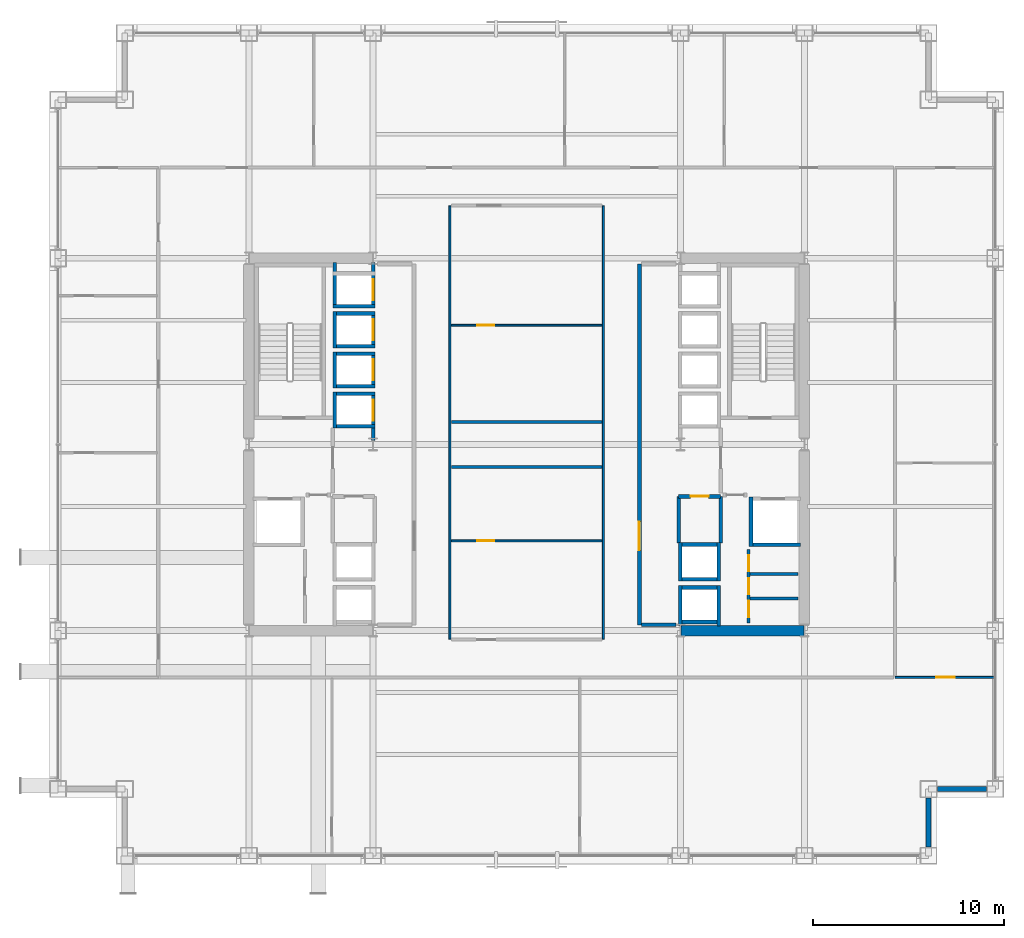
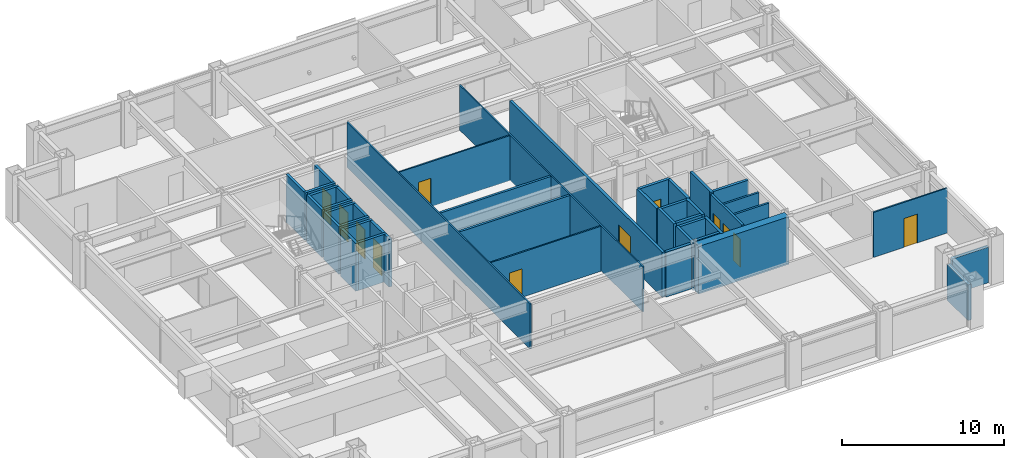
# One storey, part 26 of 29: 43 walls, 12 doors, 12 openings.
"""IFC4 building model written with IfcOpenShell, lengths in metres."""

from ifc_helpers import new_model, si_unit, direction, frame, frame_2d, origin, place, context, subcontext, project, spatial, rectangle, extrude, material, layer, layer_set, type_object, element, fill, save


model = new_model("IFC4")

# Units and contexts
model_context = context("Model", 3, precision=1e-05, world=origin(), true_north=direction((0.0, 1.0)))
body_context = subcontext(model_context, "Body", "Model", "MODEL_VIEW")
ifc_project = project(units=[si_unit("LENGTHUNIT", "METRE"), si_unit("AREAUNIT", "SQUARE_METRE"), si_unit("VOLUMEUNIT", "CUBIC_METRE"), si_unit("PLANEANGLEUNIT", "RADIAN"), si_unit("MASSUNIT", "GRAM", prefix="KILO")], contexts=[model_context])

# Site, building, storey
site_placement = place(None, origin())
site = spatial("IfcSite", under=ifc_project, at=site_placement, CompositionType="ELEMENT")
building_placement = place(site_placement, origin())
building = spatial("IfcBuilding", under=site, at=building_placement, Name="Brelmoor Portico Tower", CompositionType="ELEMENT")
storey_placement = place(building_placement, frame((0.0, 0.0, 52.800048828125)))
storey = spatial("IfcBuildingStorey", under=building, at=storey_placement, Name="L13", CompositionType="ELEMENT", Elevation=52.800048828125)

# Walls
ifc_material_1 = material(Name="Concrete C60", Category="concrete")
ifc_layer_1 = layer(ifc_material_1, 0.550048828125)
ifc_layer_set_1 = layer_set([ifc_layer_1], Name="Concrete C60")
wall_type_1 = type_object("IfcWallType", Name="WL-CORE-550", PredefinedType="SHEAR", material=ifc_layer_set_1)
wall_1_placement = place(storey_placement, frame((8.070068359375, -9.75, -0.199951171875), z_axis=(0.0, 0.0, 1.0), x_axis=(1.0, 0.0, 0.0)))
element("IfcWall", 1, at=wall_1_placement, inside=storey, type_object=wall_type_1, Name="L13 EC South Shear Wall", PredefinedType="SHEAR", context=body_context, shape_type="SweptSolid", body=[
    extrude(rectangle(XDim=6.4599609375, YDim=0.550048828125, at=frame_2d((3.22998046875, 0.0))), origin(), (0.0, 0.0, 1.0), 3.599853515625),
])
ifc_material_2 = material(Name="Precast Concrete C40 Insulated Facade Wall", Category="concrete")
ifc_layer_2 = layer(ifc_material_2, 0.25)
ifc_layer_set_2 = layer_set([ifc_layer_2], Name="Precast Concrete C40 Insulated Facade Wall")
wall_type_2 = type_object("IfcWallType", Name="WL-EXT-250", PredefinedType="STANDARD", material=ifc_layer_set_2)
for number, where, z_axis, x_axis, name in (
    (2, (21.510009765625, -18.050048828125, 0.0), (0.0, 0.0, 1.0), (1.0, 0.0, 0.0), "L13 Corner Notch Facade Wall NSEH1"),
    (3, (21.050048828125, -21.090087890625, 0.0), (0.0, 0.0, 1.0), (0.0, 1.0, 0.0), "L13 Corner Notch Facade Wall NSEV1"),
):
    element("IfcWall", number, at=place(storey_placement, frame(where, z_axis=z_axis, x_axis=x_axis)), inside=storey, type_object=wall_type_2, Name=name, PredefinedType="STANDARD", context=body_context, shape_type="SweptSolid", body=[
        extrude(rectangle(XDim=2.580078125, YDim=0.25, at=frame_2d((1.2900390625, 0.0))), origin(), (0.0, 0.0, 1.0), 2.699951171875),
    ])
ifc_material_3 = material(Name="Demountable Glazed Office Partition", Category="aluminium")
ifc_layer_3 = layer(ifc_material_3, 0.10009765625)
ifc_layer_set_3 = layer_set([ifc_layer_3], Name="Demountable Glazed Office Partition")
wall_type_3 = type_object("IfcWallType", Name="WL-PART-100", PredefinedType="PARTITIONING", material=ifc_layer_set_3)
for number, where, z_axis, x_axis, name in (
    (4, (-4.02001953125, -10.199951171875, 0.0), (0.0, 0.0, 1.0), (0.0, 1.0, 0.0), "L13 Central Suite West Wall"),
    (5, (4.02001953125, -10.199951171875, 0.0), (0.0, 0.0, 1.0), (0.0, 1.0, 0.0), "L13 Central Suite East Wall"),
):
    element("IfcWall", number, at=place(storey_placement, frame(where, z_axis=z_axis, x_axis=x_axis)), inside=storey, type_object=wall_type_3, Name=name, PredefinedType="PARTITIONING", context=body_context, shape_type="SweptSolid", body=[
        extrude(rectangle(XDim=22.699951171875, YDim=0.10009765625, at=frame_2d((11.35009765625, 0.0))), origin(), (0.0, 0.0, 1.0), 3.39990234375),
    ])

# Wall, opening, door
wall_2_placement = place(storey_placement, frame((-3.949951171875, 6.239990234375, 0.0), z_axis=(0.0, 0.0, 1.0), x_axis=(1.0, 0.0, 0.0)))
wall_2 = element("IfcWall", 6, at=wall_2_placement, inside=storey, type_object=wall_type_3, Name="L13 Central Archive Divider", PredefinedType="PARTITIONING", context=body_context, shape_type="SweptSolid", body=[
    extrude(rectangle(XDim=7.89990234375, YDim=0.10009765625, at=frame_2d((3.949951171875, 0.0))), origin(), (0.0, 0.0, 1.0), 3.39990234375),
])
opening_1_placement = place(wall_2_placement, frame((1.35009765625, 0.0, 0.0)))
opening_1 = element("IfcOpeningElement", 7, at=opening_1_placement, cuts=wall_2, Name="Opening D-IN1", PredefinedType="OPENING", context=body_context, shape_type="SweptSolid", body=[
    extrude(rectangle(XDim=0.89990234375, YDim=2.14990234375, at=frame_2d((0.449951171875, 1.074951171875))), frame((0.0, 0.06005859375, 0.0), z_axis=(0.0, -1.0, 0.0), x_axis=(1.0, 0.0, 0.0)), (0.0, 0.0, 1.0), 0.1201171875),
])
ifc_material_4 = material(Name="Lacquered Timber Suite Door", Category="wood")
door_type_1 = type_object("IfcDoorType", Name="DR-INT-900", OperationType="NOTDEFINED", PredefinedType="DOOR", material=ifc_material_4)
door_1_placement = place(opening_1_placement, origin())
door_1 = element("IfcDoor", 8, at=door_1_placement, inside=storey, type_object=door_type_1, Name="D-0576 L13 Central File Room Door", OperationType="SINGLE_SWING_RIGHT", OverallHeight=2.14990234375, OverallWidth=0.89990234375, PredefinedType="DOOR", context=body_context, shape_type="SweptSolid", body=[
    extrude(rectangle(XDim=0.89990234375, YDim=2.14990234375, at=frame_2d((0.449951171875, 1.074951171875))), frame((0.0, 0.02490234375, 0.0), z_axis=(0.0, -1.0, 0.0), x_axis=(1.0, 0.0, 0.0)), (0.0, 0.0, 1.0), 0.050048828125),
])
fill(opening_1, door_1)

wall_3_placement = place(storey_placement, frame((-3.949951171875, -5.050048828125, 0.0), z_axis=(0.0, 0.0, 1.0), x_axis=(1.0, 0.0, 0.0)))
wall_3 = element("IfcWall", 9, at=wall_3_placement, inside=storey, type_object=wall_type_3, Name="L13 Central Print Divider", PredefinedType="PARTITIONING", context=body_context, shape_type="SweptSolid", body=[
    extrude(rectangle(XDim=7.89990234375, YDim=0.10009765625, at=frame_2d((3.949951171875, 0.0))), origin(), (0.0, 0.0, 1.0), 3.39990234375),
])
opening_2_placement = place(wall_3_placement, frame((1.35009765625, 0.0, 0.0)))
opening_2 = element("IfcOpeningElement", 10, at=opening_2_placement, cuts=wall_3, Name="Opening D-IN1", PredefinedType="OPENING", context=body_context, shape_type="SweptSolid", body=[
    extrude(rectangle(XDim=0.89990234375, YDim=2.14990234375, at=frame_2d((0.449951171875, 1.074951171875))), frame((0.0, 0.06005859375, 0.0), z_axis=(0.0, -1.0, 0.0), x_axis=(1.0, 0.0, 0.0)), (0.0, 0.0, 1.0), 0.1201171875),
])
door_2_placement = place(opening_2_placement, origin())
door_2 = element("IfcDoor", 11, at=door_2_placement, inside=storey, type_object=door_type_1, Name="D-0578 L13 Central Print Studio Door", OperationType="SINGLE_SWING_LEFT", OverallHeight=2.14990234375, OverallWidth=0.89990234375, PredefinedType="DOOR", context=body_context, shape_type="SweptSolid", body=[
    extrude(rectangle(XDim=0.89990234375, YDim=2.14990234375, at=frame_2d((0.449951171875, 1.074951171875))), frame((0.0, 0.02490234375, 0.0), z_axis=(0.0, -1.0, 0.0), x_axis=(1.0, 0.0, 0.0)), (0.0, 0.0, 1.0), 0.050048828125),
])
fill(opening_2, door_2)

wall_4_placement = place(storey_placement, frame((19.300048828125, -12.199951171875, 0.0), z_axis=(0.0, 0.0, 1.0), x_axis=(1.0, 0.0, 0.0)))
wall_4 = element("IfcWall", 12, at=wall_4_placement, inside=storey, type_object=wall_type_3, Name="L13 South Outer Closure ER", PredefinedType="PARTITIONING", context=body_context, shape_type="SweptSolid", body=[
    extrude(rectangle(XDim=5.260009765625, YDim=0.10009765625, at=frame_2d((2.6298828125, 0.0))), origin(), (0.0, 0.0, 1.0), 3.39990234375),
])
opening_3_placement = place(wall_4_placement, frame((2.14990234375, 0.0, 0.0)))
opening_3 = element("IfcOpeningElement", 13, at=opening_3_placement, cuts=wall_4, Name="Opening D-IN2", PredefinedType="OPENING", context=body_context, shape_type="SweptSolid", body=[
    extrude(rectangle(XDim=0.9599609375, YDim=2.179931640625, at=frame_2d((0.47998046875, 1.08984375))), frame((0.0, 0.06005859375, 0.0), z_axis=(0.0, -1.0, 0.0), x_axis=(1.0, 0.0, 0.0)), (0.0, 0.0, 1.0), 0.1201171875),
])
door_type_2 = type_object("IfcDoorType", Name="DR-INT-950", OperationType="NOTDEFINED", PredefinedType="DOOR", material=ifc_material_4)
door_3_placement = place(opening_3_placement, origin())
door_3 = element("IfcDoor", 14, at=door_3_placement, inside=storey, type_object=door_type_2, Name="D-0604 L13 ER South Corner Suite Door", OperationType="SINGLE_SWING_RIGHT", OverallHeight=2.179931640625, OverallWidth=0.9599609375, PredefinedType="DOOR", context=body_context, shape_type="SweptSolid", body=[
    extrude(rectangle(XDim=0.9599609375, YDim=2.179931640625, at=frame_2d((0.47998046875, 1.08984375))), frame((0.0, 0.02490234375, 0.0), z_axis=(0.0, -1.0, 0.0), x_axis=(1.0, 0.0, 0.0)), (0.0, 0.0, 1.0), 0.050048828125),
])
fill(opening_3, door_3)

# Walls
ifc_material_5 = material(Name="Insulated Stud Suite Partition", Category="gypsum")
ifc_layer_4 = layer(ifc_material_5, 0.139892578125)
ifc_layer_set_4 = layer_set([ifc_layer_4], Name="Insulated Stud Suite Partition")
wall_type_4 = type_object("IfcWallType", Name="WL-PART-140", PredefinedType="PARTITIONING", material=ifc_layer_set_4)
for number, where, z_axis, x_axis, name in (
    (15, (11.699951171875, -8.066650390625, 0.0), (0.0, 0.0, 1.0), (1.0, 0.0, 0.0), "L13 E Core WC Divider 1"),
    (16, (11.699951171875, -6.783203125, 0.0), (0.0, 0.0, 1.0), (1.0, 0.0, 0.0), "L13 E Core WC Divider 2"),
):
    element("IfcWall", number, at=place(storey_placement, frame(where, z_axis=z_axis, x_axis=x_axis)), inside=storey, type_object=wall_type_4, Name=name, PredefinedType="PARTITIONING", context=body_context, shape_type="SweptSolid", body=[
        extrude(rectangle(XDim=2.5, YDim=0.139892578125, at=frame_2d((1.25, 0.0))), origin(), (0.0, 0.0, 1.0), 3.39990234375),
    ])

# Wall, openings, doors
ifc_material_6 = material(Name="Twin-Frame Acoustic Partition", Category="gypsum")
ifc_layer_5 = layer(ifc_material_6, 0.159912109375)
ifc_layer_set_5 = layer_set([ifc_layer_5], Name="Twin-Frame Acoustic Partition")
wall_type_5 = type_object("IfcWallType", Name="WL-PART-160", PredefinedType="PARTITIONING", material=ifc_layer_set_5)
wall_5_placement = place(storey_placement, frame((11.6201171875, -9.35009765625, 0.0), z_axis=(0.0, 0.0, 1.0), x_axis=(0.0, 1.0, 0.0)))
wall_5 = element("IfcWall", 17, at=wall_5_placement, inside=storey, type_object=wall_type_5, Name="L13 E Core Service Front Wall", PredefinedType="PARTITIONING", context=body_context, shape_type="SweptSolid", body=[
    extrude(rectangle(XDim=3.85009765625, YDim=0.159912109375, at=frame_2d((1.925048828125, 0.0))), origin(), (0.0, 0.0, 1.0), 3.39990234375),
])
opening_4_placement = place(wall_5_placement, frame((0.300048828125, 0.0, 0.0)))
opening_4 = element("IfcOpeningElement", 18, at=opening_4_placement, cuts=wall_5, Name="Opening D-WC1", PredefinedType="OPENING", context=body_context, shape_type="SweptSolid", body=[
    extrude(rectangle(XDim=0.85009765625, YDim=2.1201171875, at=frame_2d((0.425048828125, 1.06005859375))), frame((0.0, 0.08984375, 0.0), z_axis=(0.0, -1.0, 0.0), x_axis=(1.0, 0.0, 0.0)), (0.0, 0.0, 1.0), 0.179931640625),
])
opening_5_placement = place(wall_5_placement, frame((1.5, 0.0, 0.0)))
opening_5 = element("IfcOpeningElement", 19, at=opening_5_placement, cuts=wall_5, Name="Opening D-WC1", PredefinedType="OPENING", context=body_context, shape_type="SweptSolid", body=[
    extrude(rectangle(XDim=0.85009765625, YDim=2.1201171875, at=frame_2d((0.425048828125, 1.06005859375))), frame((0.0, 0.08984375, 0.0), z_axis=(0.0, -1.0, 0.0), x_axis=(1.0, 0.0, 0.0)), (0.0, 0.0, 1.0), 0.179931640625),
])
opening_6_placement = place(wall_5_placement, frame((2.699951171875, 0.0, 0.0)))
opening_6 = element("IfcOpeningElement", 20, at=opening_6_placement, cuts=wall_5, Name="Opening D-WC1", PredefinedType="OPENING", context=body_context, shape_type="SweptSolid", body=[
    extrude(rectangle(XDim=0.85009765625, YDim=2.1201171875, at=frame_2d((0.425048828125, 1.06005859375))), frame((0.0, 0.08984375, 0.0), z_axis=(0.0, -1.0, 0.0), x_axis=(1.0, 0.0, 0.0)), (0.0, 0.0, 1.0), 0.179931640625),
])
ifc_material_7 = material(Name="Moisture-Resistant Laminate WC Door", Category="timber")
door_type_3 = type_object("IfcDoorType", Name="DR-WC-850", OperationType="NOTDEFINED", PredefinedType="DOOR", material=ifc_material_7)
door_4_placement = place(opening_4_placement, origin())
door_4 = element("IfcDoor", 21, at=door_4_placement, inside=storey, type_object=door_type_3, Name="D-0579 L13 E Male WC Door", OperationType="SINGLE_SWING_LEFT", OverallHeight=2.1201171875, OverallWidth=0.85009765625, PredefinedType="DOOR", context=body_context, shape_type="SweptSolid", body=[
    extrude(rectangle(XDim=0.85009765625, YDim=2.1201171875, at=frame_2d((0.425048828125, 1.06005859375))), frame((0.0, 0.02490234375, 0.0), z_axis=(0.0, -1.0, 0.0), x_axis=(1.0, 0.0, 0.0)), (0.0, 0.0, 1.0), 0.050048828125),
])
fill(opening_4, door_4)
door_5_placement = place(opening_5_placement, origin())
door_5 = element("IfcDoor", 22, at=door_5_placement, inside=storey, type_object=door_type_3, Name="D-0580 L13 E Female WC Door", OperationType="SINGLE_SWING_RIGHT", OverallHeight=2.1201171875, OverallWidth=0.85009765625, PredefinedType="DOOR", context=body_context, shape_type="SweptSolid", body=[
    extrude(rectangle(XDim=0.85009765625, YDim=2.1201171875, at=frame_2d((0.425048828125, 1.06005859375))), frame((0.0, 0.02490234375, 0.0), z_axis=(0.0, -1.0, 0.0), x_axis=(1.0, 0.0, 0.0)), (0.0, 0.0, 1.0), 0.050048828125),
])
fill(opening_5, door_5)
door_6_placement = place(opening_6_placement, origin())
door_6 = element("IfcDoor", 23, at=door_6_placement, inside=storey, type_object=door_type_3, Name="D-0581 L13 E Janitor Store Door", OperationType="SINGLE_SWING_LEFT", OverallHeight=2.1201171875, OverallWidth=0.85009765625, PredefinedType="DOOR", context=body_context, shape_type="SweptSolid", body=[
    extrude(rectangle(XDim=0.85009765625, YDim=2.1201171875, at=frame_2d((0.425048828125, 1.06005859375))), frame((0.0, 0.02490234375, 0.0), z_axis=(0.0, -1.0, 0.0), x_axis=(1.0, 0.0, 0.0)), (0.0, 0.0, 1.0), 0.050048828125),
])
fill(opening_6, door_6)

# Walls
for number, where, z_axis, x_axis, name in (
    (24, (-3.949951171875, 1.179931640625, 0.0), (0.0, 0.0, 1.0), (1.0, 0.0, 0.0), "L13 Central Meeting South Wall"),
    (25, (-3.949951171875, -1.179931640625, 0.0), (0.0, 0.0, 1.0), (1.0, 0.0, 0.0), "L13 Central Pantry North Wall"),
):
    element("IfcWall", number, at=place(storey_placement, frame(where, z_axis=z_axis, x_axis=x_axis)), inside=storey, type_object=wall_type_5, Name=name, PredefinedType="PARTITIONING", context=body_context, shape_type="SweptSolid", body=[
        extrude(rectangle(XDim=7.89990234375, YDim=0.159912109375, at=frame_2d((3.949951171875, 0.0))), origin(), (0.0, 0.0, 1.0), 3.39990234375),
    ])

# Wall, opening, door
ifc_material_8 = material(Name="Double-Stud Gypsum Fire Partition", Category="gypsum")
ifc_layer_6 = layer(ifc_material_8, 0.199951171875)
ifc_layer_set_6 = layer_set([ifc_layer_6], Name="Double-Stud Gypsum Fire Partition")
wall_type_6 = type_object("IfcWallType", Name="WL-PART-200", PredefinedType="PARTITIONING", material=ifc_layer_set_6)
wall_6_placement = place(storey_placement, frame((5.89990234375, -9.449951171875, 0.0), z_axis=(0.0, 0.0, 1.0), x_axis=(0.0, 1.0, 0.0)))
wall_6 = element("IfcWall", 26, at=wall_6_placement, inside=storey, type_object=wall_type_6, Name="L13 E Core Lobby Compartment Wall", PredefinedType="PARTITIONING", context=body_context, shape_type="SweptSolid", body=[
    extrude(rectangle(XDim=18.89990234375, YDim=0.199951171875, at=frame_2d((9.449951171875, 0.0))), origin(), (0.0, 0.0, 1.0), 3.39990234375),
])
opening_7_placement = place(wall_6_placement, frame((3.89990234375, 0.0, 0.0)))
opening_7 = element("IfcOpeningElement", 27, at=opening_7_placement, cuts=wall_6, Name="Opening D-LB1", PredefinedType="OPENING", context=body_context, shape_type="SweptSolid", body=[
    extrude(rectangle(XDim=1.5, YDim=2.199951171875, at=frame_2d((0.75, 1.10009765625))), frame((0.0, 0.10986328125, 0.0), z_axis=(0.0, -1.0, 0.0), x_axis=(1.0, 0.0, 0.0)), (0.0, 0.0, 1.0), 0.219970703125),
])
ifc_material_9 = material(Name="Double-Leaf Glazed Steel Fire Door", Category="steel")
door_type_4 = type_object("IfcDoorType", Name="DR-LOBBY-1500", OperationType="NOTDEFINED", PredefinedType="DOOR", material=ifc_material_9)
door_7_placement = place(opening_7_placement, origin())
door_7 = element("IfcDoor", 28, at=door_7_placement, inside=storey, type_object=door_type_4, Name="D-0589 L13 E Lift Lobby Main Door", OperationType="DOUBLE_DOOR_SINGLE_SWING", OverallHeight=2.199951171875, OverallWidth=1.5, PredefinedType="DOOR", context=body_context, shape_type="SweptSolid", body=[
    extrude(rectangle(XDim=1.5, YDim=2.199951171875, at=frame_2d((0.75, 1.10009765625))), frame((0.0, 0.02490234375, 0.0), z_axis=(0.0, -1.0, 0.0), x_axis=(1.0, 0.0, 0.0)), (0.0, 0.0, 1.0), 0.050048828125),
])
fill(opening_7, door_7)

# Wall
wall_7_placement = place(storey_placement, frame((6.02001953125, -9.449951171875, 0.0), z_axis=(0.0, 0.0, 1.0), x_axis=(1.0, 0.0, 0.0)))
element("IfcWall", 29, at=wall_7_placement, inside=storey, type_object=wall_type_6, Name="L13 E Lift Lobby South End Wall", PredefinedType="PARTITIONING", context=body_context, shape_type="SweptSolid", body=[
    extrude(rectangle(XDim=1.800048828125, YDim=0.199951171875, at=frame_2d((0.89990234375, 0.0))), origin(), (0.0, 0.0, 1.0), 3.39990234375),
])

# Wall, opening, door
wall_8_placement = place(storey_placement, frame((7.9599609375, -2.719970703125, 0.0), z_axis=(0.0, 0.0, 1.0), x_axis=(1.0, 0.0, 0.0)))
wall_8 = element("IfcWall", 30, at=wall_8_placement, inside=storey, type_object=wall_type_6, Name="L13 E Electrical Switchgear Closet Wall", PredefinedType="PARTITIONING", context=body_context, shape_type="SweptSolid", body=[
    extrude(rectangle(XDim=2.199951171875, YDim=0.199951171875, at=frame_2d((1.10009765625, 0.0))), origin(), (0.0, 0.0, 1.0), 3.39990234375),
])
opening_8_placement = place(wall_8_placement, frame((0.6201171875, 0.0, 0.0)))
opening_8 = element("IfcOpeningElement", 31, at=opening_8_placement, cuts=wall_8, Name="Opening D-FR4", PredefinedType="OPENING", context=body_context, shape_type="SweptSolid", body=[
    extrude(rectangle(XDim=0.949951171875, YDim=2.10009765625, at=frame_2d((0.47509765625, 1.050048828125))), frame((0.0, 0.10986328125, 0.0), z_axis=(0.0, -1.0, 0.0), x_axis=(1.0, 0.0, 0.0)), (0.0, 0.0, 1.0), 0.219970703125),
])
ifc_material_10 = material(Name="Painted Galvanised Steel Riser Door", Category="steel")
door_type_5 = type_object("IfcDoorType", Name="DR-FIRE-950", OperationType="NOTDEFINED", PredefinedType="DOOR", material=ifc_material_10)
door_8_placement = place(opening_8_placement, origin())
door_8 = element("IfcDoor", 32, at=door_8_placement, inside=storey, type_object=door_type_5, Name="D-0585 L13 E Electrical Switchgear Closet Door", OperationType="SINGLE_SWING_RIGHT", OverallHeight=2.10009765625, OverallWidth=0.949951171875, PredefinedType="DOOR", context=body_context, shape_type="SweptSolid", body=[
    extrude(rectangle(XDim=0.949951171875, YDim=2.10009765625, at=frame_2d((0.47509765625, 1.050048828125))), frame((0.0, 0.02490234375, 0.0), z_axis=(0.0, -1.0, 0.0), x_axis=(1.0, 0.0, 0.0)), (0.0, 0.0, 1.0), 0.050048828125),
])
fill(opening_8, door_8)

# Walls
for number, where, z_axis, x_axis, name in (
    (33, (7.9599609375, -5.159912109375, 0.0), (0.0, 0.0, 1.0), (0.0, 1.0, 0.0), "L13 E Electrical Switchgear Closet Inner Wall"),
    (34, (10.159912109375, -5.159912109375, 0.0), (0.0, 0.0, 1.0), (0.0, 1.0, 0.0), "L13 E Electrical Switchgear Closet Outer Wall"),
):
    element("IfcWall", number, at=place(storey_placement, frame(where, z_axis=z_axis, x_axis=x_axis)), inside=storey, type_object=wall_type_6, Name=name, PredefinedType="PARTITIONING", context=body_context, shape_type="SweptSolid", body=[
        extrude(rectangle(XDim=2.43994140625, YDim=0.199951171875, at=frame_2d((1.219970703125, 0.0))), origin(), (0.0, 0.0, 1.0), 3.39990234375),
    ])

# Wall, opening, door
ifc_material_11 = material(Name="Precast Concrete C40", Category="concrete")
ifc_layer_7 = layer(ifc_material_11, 0.18994140625)
ifc_layer_set_7 = layer_set([ifc_layer_7], Name="Precast Concrete C40")
wall_type_7 = type_object("IfcWallType", Name="WL-SHAFT-180", PredefinedType="SOLIDWALL", material=ifc_layer_set_7)
wall_9_placement = place(storey_placement, frame((-8.044921875, 0.2099609375, -0.199951171875), z_axis=(0.0, 0.0, 1.0), x_axis=(0.0, 1.0, 0.0)))
wall_9 = element("IfcWall", 35, at=wall_9_placement, inside=storey, type_object=wall_type_7, Name="L13 Lift PL1 Hoistway Front Wall", PredefinedType="SOLIDWALL", context=body_context, shape_type="SweptSolid", body=[
    extrude(rectangle(XDim=2.5400390625, YDim=0.18994140625, at=frame_2d((1.27001953125, 0.0))), origin(), (0.0, 0.0, 1.0), 3.599853515625),
])
opening_9_placement = place(wall_9_placement, frame((1.0400390625, 0.0, 0.199951171875)))
opening_9 = element("IfcOpeningElement", 36, at=opening_9_placement, cuts=wall_9, Name="Opening LD-01", PredefinedType="OPENING", context=body_context, shape_type="SweptSolid", body=[
    extrude(rectangle(XDim=1.10009765625, YDim=2.199951171875, at=frame_2d((0.550048828125, 1.10009765625))), frame((0.0, 0.10498046875, 0.0), z_axis=(0.0, -1.0, 0.0), x_axis=(1.0, 0.0, 0.0)), (0.0, 0.0, 1.0), 0.2099609375),
])
ifc_material_12 = material(Name="Brushed Stainless Steel Sliding Lift Door", Category="steel")
door_type_6 = type_object("IfcDoorType", Name="DR-LIFT-1100", OperationType="NOTDEFINED", PredefinedType="DOOR", material=ifc_material_12)
door_9_placement = place(opening_9_placement, origin())
door_9 = element("IfcDoor", 37, at=door_9_placement, inside=storey, type_object=door_type_6, Name="D-0615 L13 Lift PL1 Sliding Landing Door", OperationType="SLIDING_TO_LEFT", OverallHeight=2.199951171875, OverallWidth=1.10009765625, PredefinedType="DOOR", context=body_context, shape_type="SweptSolid", body=[
    extrude(rectangle(XDim=1.10009765625, YDim=2.199951171875, at=frame_2d((0.550048828125, 1.10009765625))), frame((0.0, 0.02490234375, 0.0), z_axis=(0.0, -1.0, 0.0), x_axis=(1.0, 0.0, 0.0)), (0.0, 0.0, 1.0), 0.050048828125),
])
fill(opening_9, door_9)

# Walls
wall_10_placement = place(storey_placement, frame((-10.054931640625, 0.85009765625, -0.199951171875), z_axis=(0.0, 0.0, 1.0), x_axis=(0.0, 1.0, 0.0)))
element("IfcWall", 38, at=wall_10_placement, inside=storey, type_object=wall_type_7, Name="L13 Lift PL1 Hoistway Back Wall", PredefinedType="SOLIDWALL", context=body_context, shape_type="SweptSolid", body=[
    extrude(rectangle(XDim=1.89990234375, YDim=0.18994140625, at=frame_2d((0.949951171875, 0.0))), origin(), (0.0, 0.0, 1.0), 3.599853515625),
])
for number, where, z_axis, x_axis, name in (
    (39, (-10.14990234375, 2.655029296875, -0.199951171875), (0.0, 0.0, 1.0), (1.0, 0.0, 0.0), "L13 Lift PL1 Hoistway North Wall"),
    (40, (-10.14990234375, 0.945068359375, -0.199951171875), (0.0, 0.0, 1.0), (1.0, 0.0, 0.0), "L13 Lift PL1 Hoistway South Wall"),
):
    element("IfcWall", number, at=place(storey_placement, frame(where, z_axis=z_axis, x_axis=x_axis)), inside=storey, type_object=wall_type_7, Name=name, PredefinedType="SOLIDWALL", context=body_context, shape_type="SweptSolid", body=[
        extrude(rectangle(XDim=2.199951171875, YDim=0.18994140625, at=frame_2d((1.10009765625, 0.0))), origin(), (0.0, 0.0, 1.0), 3.599853515625),
    ])

# Wall, opening, door
wall_11_placement = place(storey_placement, frame((-8.044921875, 2.949951171875, -0.199951171875), z_axis=(0.0, 0.0, 1.0), x_axis=(0.0, 1.0, 0.0)))
wall_11 = element("IfcWall", 41, at=wall_11_placement, inside=storey, type_object=wall_type_7, Name="L13 Lift PL2 Hoistway Front Wall", PredefinedType="SOLIDWALL", context=body_context, shape_type="SweptSolid", body=[
    extrude(rectangle(XDim=1.900146484375, YDim=0.18994140625, at=frame_2d((0.9501953125, 0.0))), origin(), (0.0, 0.0, 1.0), 3.599853515625),
])
opening_10_placement = place(wall_11_placement, frame((0.39990234375, 0.0, 0.199951171875)))
opening_10 = element("IfcOpeningElement", 42, at=opening_10_placement, cuts=wall_11, Name="Opening LD-01", PredefinedType="OPENING", context=body_context, shape_type="SweptSolid", body=[
    extrude(rectangle(XDim=1.10009765625, YDim=2.199951171875, at=frame_2d((0.550048828125, 1.10009765625))), frame((0.0, 0.10498046875, 0.0), z_axis=(0.0, -1.0, 0.0), x_axis=(1.0, 0.0, 0.0)), (0.0, 0.0, 1.0), 0.2099609375),
])
door_10_placement = place(opening_10_placement, origin())
door_10 = element("IfcDoor", 43, at=door_10_placement, inside=storey, type_object=door_type_6, Name="D-0616 L13 Lift PL2 Sliding Landing Door", OperationType="SLIDING_TO_LEFT", OverallHeight=2.199951171875, OverallWidth=1.10009765625, PredefinedType="DOOR", context=body_context, shape_type="SweptSolid", body=[
    extrude(rectangle(XDim=1.10009765625, YDim=2.199951171875, at=frame_2d((0.550048828125, 1.10009765625))), frame((0.0, 0.02490234375, 0.0), z_axis=(0.0, -1.0, 0.0), x_axis=(1.0, 0.0, 0.0)), (0.0, 0.0, 1.0), 0.050048828125),
])
fill(opening_10, door_10)

# Walls
wall_12_placement = place(storey_placement, frame((-10.054931640625, 2.949951171875, -0.199951171875), z_axis=(0.0, 0.0, 1.0), x_axis=(0.0, 1.0, 0.0)))
element("IfcWall", 44, at=wall_12_placement, inside=storey, type_object=wall_type_7, Name="L13 Lift PL2 Hoistway Back Wall", PredefinedType="SOLIDWALL", context=body_context, shape_type="SweptSolid", body=[
    extrude(rectangle(XDim=1.900146484375, YDim=0.18994140625, at=frame_2d((0.9501953125, 0.0))), origin(), (0.0, 0.0, 1.0), 3.599853515625),
])
for number, where, z_axis, x_axis, name in (
    (45, (-10.14990234375, 4.7548828125, -0.199951171875), (0.0, 0.0, 1.0), (1.0, 0.0, 0.0), "L13 Lift PL2 Hoistway North Wall"),
    (46, (-10.14990234375, 3.044921875, -0.199951171875), (0.0, 0.0, 1.0), (1.0, 0.0, 0.0), "L13 Lift PL2 Hoistway South Wall"),
):
    element("IfcWall", number, at=place(storey_placement, frame(where, z_axis=z_axis, x_axis=x_axis)), inside=storey, type_object=wall_type_7, Name=name, PredefinedType="SOLIDWALL", context=body_context, shape_type="SweptSolid", body=[
        extrude(rectangle(XDim=2.199951171875, YDim=0.18994140625, at=frame_2d((1.10009765625, 0.0))), origin(), (0.0, 0.0, 1.0), 3.599853515625),
    ])

# Wall, opening, door
wall_13_placement = place(storey_placement, frame((-8.044921875, 5.050048828125, -0.199951171875), z_axis=(0.0, 0.0, 1.0), x_axis=(0.0, 1.0, 0.0)))
wall_13 = element("IfcWall", 47, at=wall_13_placement, inside=storey, type_object=wall_type_7, Name="L13 Lift PL3 Hoistway Front Wall", PredefinedType="SOLIDWALL", context=body_context, shape_type="SweptSolid", body=[
    extrude(rectangle(XDim=1.89990234375, YDim=0.18994140625, at=frame_2d((0.949951171875, 0.0))), origin(), (0.0, 0.0, 1.0), 3.599853515625),
])
opening_11_placement = place(wall_13_placement, frame((0.39990234375, 0.0, 0.199951171875)))
opening_11 = element("IfcOpeningElement", 48, at=opening_11_placement, cuts=wall_13, Name="Opening LD-01", PredefinedType="OPENING", context=body_context, shape_type="SweptSolid", body=[
    extrude(rectangle(XDim=1.10009765625, YDim=2.199951171875, at=frame_2d((0.550048828125, 1.10009765625))), frame((0.0, 0.10498046875, 0.0), z_axis=(0.0, -1.0, 0.0), x_axis=(1.0, 0.0, 0.0)), (0.0, 0.0, 1.0), 0.2099609375),
])
door_11_placement = place(opening_11_placement, origin())
door_11 = element("IfcDoor", 49, at=door_11_placement, inside=storey, type_object=door_type_6, Name="D-0617 L13 Lift PL3 Sliding Landing Door", OperationType="SLIDING_TO_LEFT", OverallHeight=2.199951171875, OverallWidth=1.10009765625, PredefinedType="DOOR", context=body_context, shape_type="SweptSolid", body=[
    extrude(rectangle(XDim=1.10009765625, YDim=2.199951171875, at=frame_2d((0.550048828125, 1.10009765625))), frame((0.0, 0.02490234375, 0.0), z_axis=(0.0, -1.0, 0.0), x_axis=(1.0, 0.0, 0.0)), (0.0, 0.0, 1.0), 0.050048828125),
])
fill(opening_11, door_11)

# Walls
wall_14_placement = place(storey_placement, frame((-10.054931640625, 5.050048828125, -0.199951171875), z_axis=(0.0, 0.0, 1.0), x_axis=(0.0, 1.0, 0.0)))
element("IfcWall", 50, at=wall_14_placement, inside=storey, type_object=wall_type_7, Name="L13 Lift PL3 Hoistway Back Wall", PredefinedType="SOLIDWALL", context=body_context, shape_type="SweptSolid", body=[
    extrude(rectangle(XDim=1.89990234375, YDim=0.18994140625, at=frame_2d((0.949951171875, 0.0))), origin(), (0.0, 0.0, 1.0), 3.599853515625),
])
for number, where, z_axis, x_axis, name in (
    (51, (-10.14990234375, 6.85498046875, -0.199951171875), (0.0, 0.0, 1.0), (1.0, 0.0, 0.0), "L13 Lift PL3 Hoistway North Wall"),
    (52, (-10.14990234375, 5.14501953125, -0.199951171875), (0.0, 0.0, 1.0), (1.0, 0.0, 0.0), "L13 Lift PL3 Hoistway South Wall"),
):
    element("IfcWall", number, at=place(storey_placement, frame(where, z_axis=z_axis, x_axis=x_axis)), inside=storey, type_object=wall_type_7, Name=name, PredefinedType="SOLIDWALL", context=body_context, shape_type="SweptSolid", body=[
        extrude(rectangle(XDim=2.199951171875, YDim=0.18994140625, at=frame_2d((1.10009765625, 0.0))), origin(), (0.0, 0.0, 1.0), 3.599853515625),
    ])

# Wall, opening, door
wall_15_placement = place(storey_placement, frame((-8.044921875, 7.14990234375, -0.199951171875), z_axis=(0.0, 0.0, 1.0), x_axis=(0.0, 1.0, 0.0)))
wall_15 = element("IfcWall", 53, at=wall_15_placement, inside=storey, type_object=wall_type_7, Name="L13 Lift PL4 Hoistway Front Wall", PredefinedType="SOLIDWALL", context=body_context, shape_type="SweptSolid", body=[
    extrude(rectangle(XDim=2.3701171875, YDim=0.18994140625, at=frame_2d((1.18505859375, 0.0))), origin(), (0.0, 0.0, 1.0), 3.599853515625),
])
opening_12_placement = place(wall_15_placement, frame((0.39990234375, 0.0, 0.199951171875)))
opening_12 = element("IfcOpeningElement", 54, at=opening_12_placement, cuts=wall_15, Name="Opening LD-01", PredefinedType="OPENING", context=body_context, shape_type="SweptSolid", body=[
    extrude(rectangle(XDim=1.10009765625, YDim=2.199951171875, at=frame_2d((0.550048828125, 1.10009765625))), frame((0.0, 0.10498046875, 0.0), z_axis=(0.0, -1.0, 0.0), x_axis=(1.0, 0.0, 0.0)), (0.0, 0.0, 1.0), 0.2099609375),
])
door_12_placement = place(opening_12_placement, origin())
door_12 = element("IfcDoor", 55, at=door_12_placement, inside=storey, type_object=door_type_6, Name="D-0618 L13 Lift PL4 Sliding Landing Door", OperationType="SLIDING_TO_LEFT", OverallHeight=2.199951171875, OverallWidth=1.10009765625, PredefinedType="DOOR", context=body_context, shape_type="SweptSolid", body=[
    extrude(rectangle(XDim=1.10009765625, YDim=2.199951171875, at=frame_2d((0.550048828125, 1.10009765625))), frame((0.0, 0.02490234375, 0.0), z_axis=(0.0, -1.0, 0.0), x_axis=(1.0, 0.0, 0.0)), (0.0, 0.0, 1.0), 0.050048828125),
])
fill(opening_12, door_12)

# Walls
wall_16_placement = place(storey_placement, frame((-10.054931640625, 7.14990234375, -0.199951171875), z_axis=(0.0, 0.0, 1.0), x_axis=(0.0, 1.0, 0.0)))
element("IfcWall", 56, at=wall_16_placement, inside=storey, type_object=wall_type_7, Name="L13 Lift PL4 Hoistway Back Wall", PredefinedType="SOLIDWALL", context=body_context, shape_type="SweptSolid", body=[
    extrude(rectangle(XDim=2.3701171875, YDim=0.18994140625, at=frame_2d((1.18505859375, 0.0))), origin(), (0.0, 0.0, 1.0), 3.599853515625),
])
wall_17_placement = place(storey_placement, frame((-10.14990234375, 7.2451171875, -0.199951171875), z_axis=(0.0, 0.0, 1.0), x_axis=(1.0, 0.0, 0.0)))
element("IfcWall", 57, at=wall_17_placement, inside=storey, type_object=wall_type_7, Name="L13 Lift PL4 Hoistway South Wall", PredefinedType="SOLIDWALL", context=body_context, shape_type="SweptSolid", body=[
    extrude(rectangle(XDim=2.199951171875, YDim=0.18994140625, at=frame_2d((1.10009765625, 0.0))), origin(), (0.0, 0.0, 1.0), 3.599853515625),
])
for number, where, z_axis, x_axis, name in (
    (58, (8.044921875, -9.52001953125, -0.199951171875), (0.0, 0.0, 1.0), (0.0, 1.0, 0.0), "L13 Lift PH3 Hoistway Front Wall"),
    (59, (10.054931640625, -9.52001953125, -0.199951171875), (0.0, 0.0, 1.0), (0.0, 1.0, 0.0), "L13 Lift PH3 Hoistway Back Wall"),
):
    element("IfcWall", number, at=place(storey_placement, frame(where, z_axis=z_axis, x_axis=x_axis)), inside=storey, type_object=wall_type_7, Name=name, PredefinedType="SOLIDWALL", context=body_context, shape_type="SweptSolid", body=[
        extrude(rectangle(XDim=2.1201171875, YDim=0.18994140625, at=frame_2d((1.06005859375, 0.0))), origin(), (0.0, 0.0, 1.0), 3.599853515625),
    ])
for number, where, z_axis, x_axis, name in (
    (60, (7.949951171875, -7.4951171875, -0.199951171875), (0.0, 0.0, 1.0), (1.0, 0.0, 0.0), "L13 Lift PH3 Hoistway North Wall"),
    (61, (7.949951171875, -9.304931640625, -0.199951171875), (0.0, 0.0, 1.0), (1.0, 0.0, 0.0), "L13 Lift PH3 Hoistway South Wall"),
):
    element("IfcWall", number, at=place(storey_placement, frame(where, z_axis=z_axis, x_axis=x_axis)), inside=storey, type_object=wall_type_7, Name=name, PredefinedType="SOLIDWALL", context=body_context, shape_type="SweptSolid", body=[
        extrude(rectangle(XDim=2.199951171875, YDim=0.18994140625, at=frame_2d((1.10009765625, 0.0))), origin(), (0.0, 0.0, 1.0), 3.599853515625),
    ])
for number, where, z_axis, x_axis, name in (
    (62, (8.044921875, -7.14990234375, -0.199951171875), (0.0, 0.0, 1.0), (0.0, 1.0, 0.0), "L13 Lift PH4 Hoistway Front Wall"),
    (63, (10.054931640625, -7.14990234375, -0.199951171875), (0.0, 0.0, 1.0), (0.0, 1.0, 0.0), "L13 Lift PH4 Hoistway Back Wall"),
):
    element("IfcWall", number, at=place(storey_placement, frame(where, z_axis=z_axis, x_axis=x_axis)), inside=storey, type_object=wall_type_7, Name=name, PredefinedType="SOLIDWALL", context=body_context, shape_type="SweptSolid", body=[
        extrude(rectangle(XDim=2.0, YDim=0.18994140625, at=frame_2d((1.0, 0.0))), origin(), (0.0, 0.0, 1.0), 3.599853515625),
    ])
for number, where, z_axis, x_axis, name in (
    (64, (7.949951171875, -5.2451171875, -0.199951171875), (0.0, 0.0, 1.0), (1.0, 0.0, 0.0), "L13 Lift PH4 Hoistway North Wall"),
    (65, (7.949951171875, -7.054931640625, -0.199951171875), (0.0, 0.0, 1.0), (1.0, 0.0, 0.0), "L13 Lift PH4 Hoistway South Wall"),
):
    element("IfcWall", number, at=place(storey_placement, frame(where, z_axis=z_axis, x_axis=x_axis)), inside=storey, type_object=wall_type_7, Name=name, PredefinedType="SOLIDWALL", context=body_context, shape_type="SweptSolid", body=[
        extrude(rectangle(XDim=2.199951171875, YDim=0.18994140625, at=frame_2d((1.10009765625, 0.0))), origin(), (0.0, 0.0, 1.0), 3.599853515625),
    ])
wall_18_placement = place(storey_placement, frame((11.64990234375, -5.2548828125, -0.199951171875), z_axis=(0.0, 0.0, 1.0), x_axis=(1.0, 0.0, 0.0)))
element("IfcWall", 66, at=wall_18_placement, inside=storey, type_object=wall_type_7, Name="L13 Firefighting Lift FF2 South Wall", PredefinedType="SOLIDWALL", context=body_context, shape_type="SweptSolid", body=[
    extrude(rectangle(XDim=2.68017578125, YDim=0.18994140625, at=frame_2d((1.340087890625, 0.0))), origin(), (0.0, 0.0, 1.0), 3.599853515625),
])
wall_19_placement = place(storey_placement, frame((11.7451171875, -5.35009765625, -0.199951171875), z_axis=(0.0, 0.0, 1.0), x_axis=(0.0, 1.0, 0.0)))
element("IfcWall", 67, at=wall_19_placement, inside=storey, type_object=wall_type_7, Name="L13 Firefighting Lift FF2 Inner Wall", PredefinedType="SOLIDWALL", context=body_context, shape_type="SweptSolid", body=[
    extrude(rectangle(XDim=2.60009765625, YDim=0.18994140625, at=frame_2d((1.300048828125, 0.0))), origin(), (0.0, 0.0, 1.0), 3.599853515625),
])

save(model, "model.ifc")
